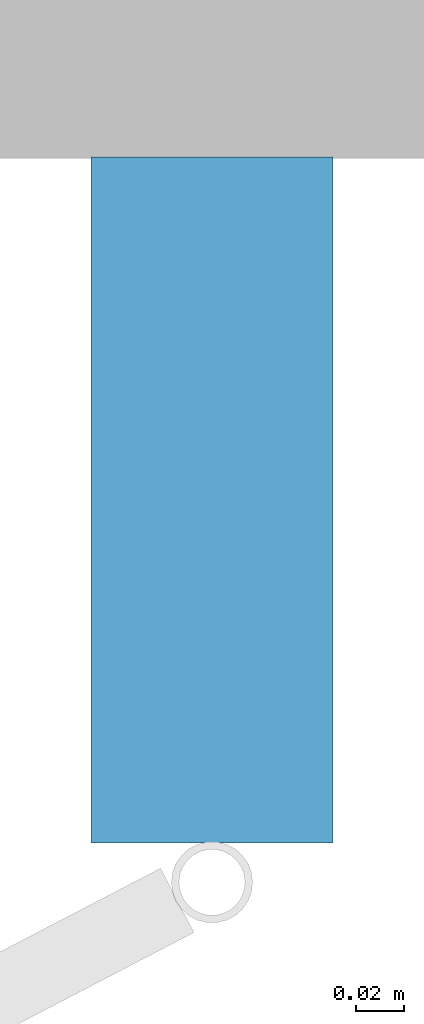
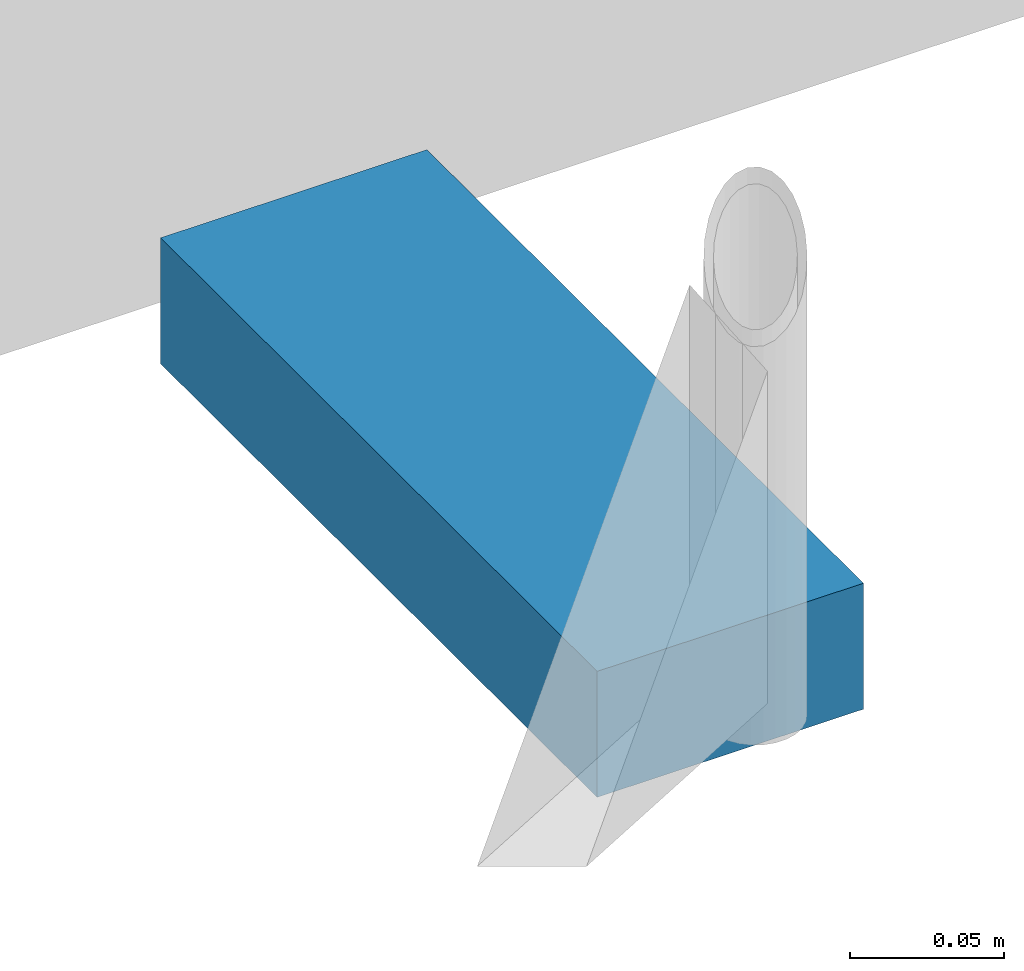
# One storey, part 181 of 214: 1 discrete accessory.
"""IFC4 building model written with IfcOpenShell, lengths in metres."""

from ifc_helpers import new_model, si_unit, direction, frame, origin, origin_2d, place, context, subcontext, project, spatial, rectangle, extrude, material, type_object, element, save


model = new_model("IFC4")

# Units and contexts
model_context = context("Model", 3, precision=1e-05, world=origin(), true_north=direction((0.0, 1.0)))
body_context = subcontext(model_context, "Body", "Model", "MODEL_VIEW")
ifc_project = project(units=[si_unit("LENGTHUNIT", "METRE"), si_unit("AREAUNIT", "SQUARE_METRE"), si_unit("VOLUMEUNIT", "CUBIC_METRE"), si_unit("PLANEANGLEUNIT", "RADIAN"), si_unit("MASSUNIT", "GRAM", prefix="KILO")], contexts=[model_context])

# Site, building, storey
site_placement = place(None, origin())
site = spatial("IfcSite", under=ifc_project, at=site_placement, CompositionType="ELEMENT")
building_placement = place(site_placement, origin())
building = spatial("IfcBuilding", under=site, at=building_placement, Name="Parallax Yard Mobility Hub", CompositionType="ELEMENT")
storey_placement = place(building_placement, frame((0.0, 0.0, 3.300048828125)))
storey = spatial("IfcBuildingStorey", under=building, at=storey_placement, Name="L01", CompositionType="ELEMENT", Elevation=3.300048828125)

# Discrete accessory
ifc_material = material(Name="Steel ASTM A36, hot-dip galvanised", Category="steel")
discrete_accessory_type = type_object("IfcDiscreteAccessoryType", Name="Hinge bracket plate 100x50", PredefinedType="BRACKET", material=ifc_material)
discrete_accessory_placement = place(storey_placement, frame((134.992431640625, 112.3583984375, -0.02490234375), z_axis=(0.0, 0.0, 1.0), x_axis=(0.0, -1.0, 0.0)))
element("IfcDiscreteAccessory", 1, at=discrete_accessory_placement, inside=storey, type_object=discrete_accessory_type, Name="Hinge bracket plate bay 13.8 level L01", PredefinedType="BRACKET", context=body_context, shape_type="SweptSolid", body=[
    extrude(rectangle(XDim=0.2841796875, YDim=0.10009765625, at=origin_2d()), origin(), (0.0, 0.0, 1.0), 0.050048828125),
])

save(model, "model.ifc")
